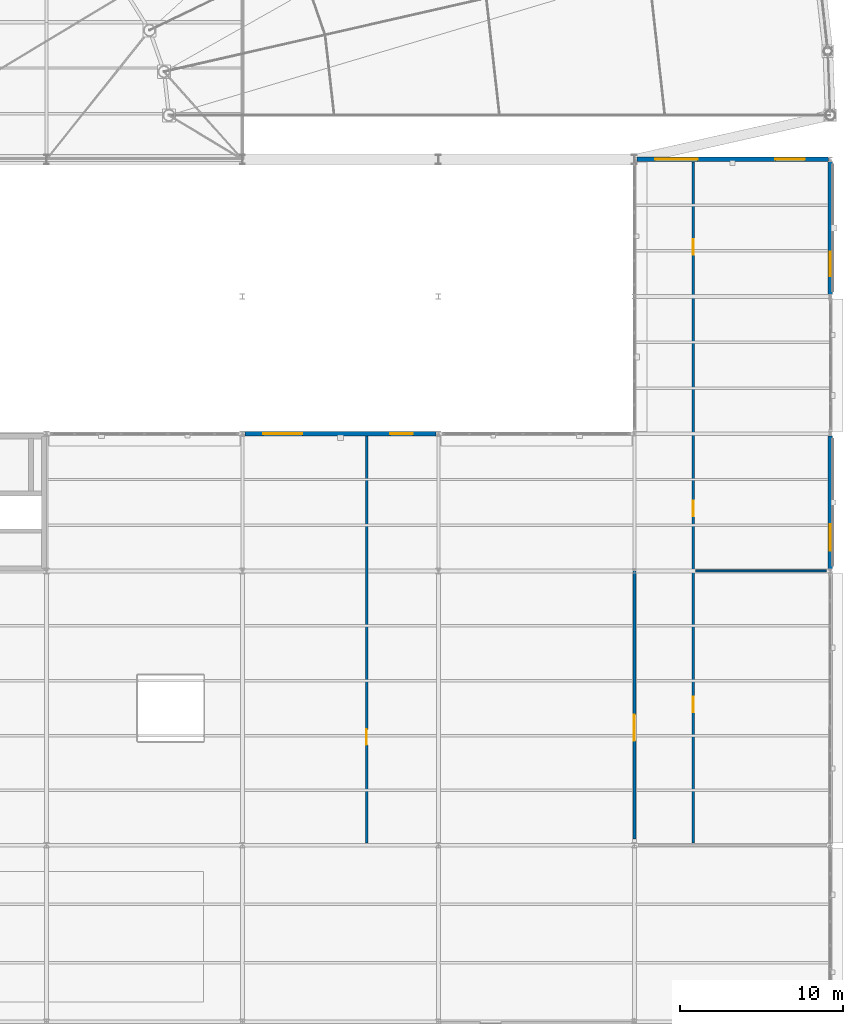
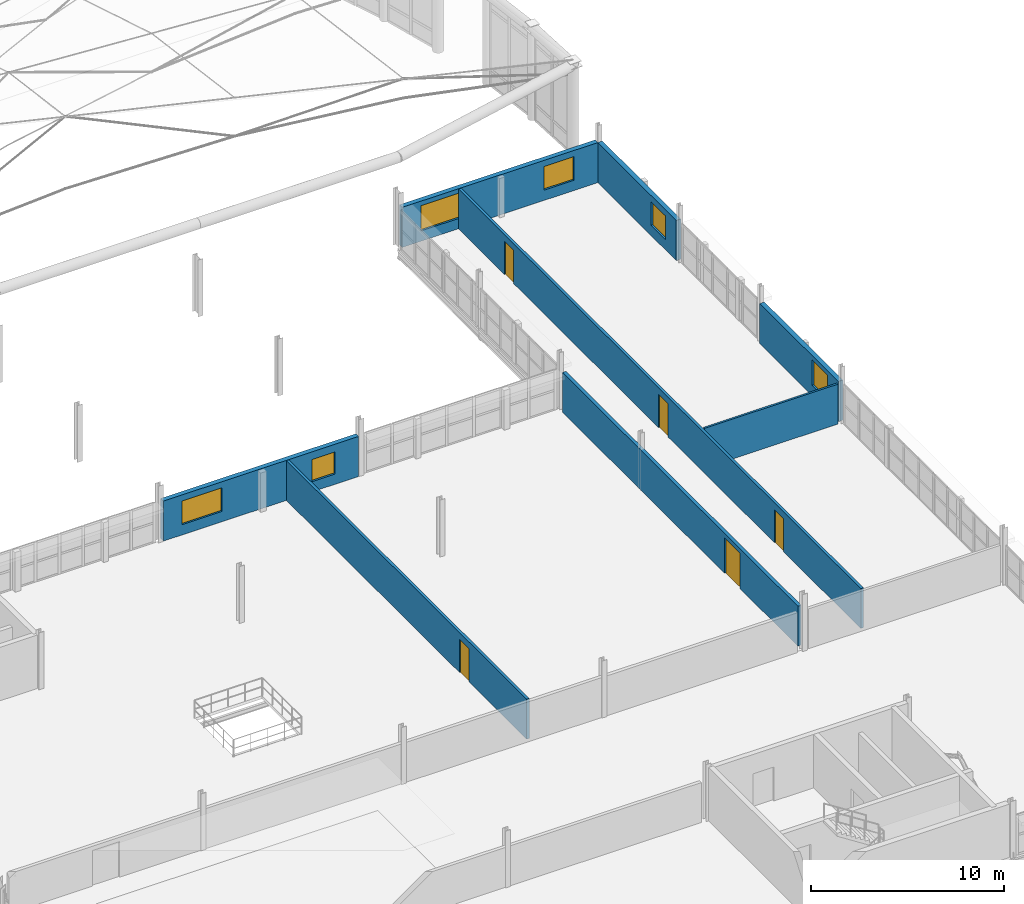
# One storey, part 89 of 101: 8 walls, 6 windows, 5 doors, 11 openings.
"""IFC4 building model written with IfcOpenShell, lengths in metres."""

import ifcopenshell
import ifcopenshell.guid

model = None  # the IFC model being written
_history = None  # IfcOwnerHistory: only IFC2X3 demands one
_inside = {}  # id of a spatial element -> (the spatial element, [elements in it])
_under = {}  # id of a project, library or spatial element -> (it, [spatial elements below it])
_declared = {}  # id of a project -> (the project, [libraries it declares])
_typed = {}  # id of a type object -> (the type object, [elements of that type])
_made_of = {}  # id of a material, layer set ... -> (it, [elements and type objects made of it])


def new_model(schema):
    """Start an empty IFC model of exactly this schema.

    Asked for "IFC4X3", IfcOpenShell would pick the latest addendum, in which some entities
    have other attributes; the version numbers below select the first issue.
    IFC2X3 requires an IfcOwnerHistory on every rooted entity: one is made here for all.
    """
    global model, _history
    if schema == "IFC4X3":
        model = ifcopenshell.file(schema_version=(4, 3, 0, 0))
    else:
        model = ifcopenshell.file(schema=schema)
    _inside.clear()
    _under.clear()
    _declared.clear()
    _typed.clear()
    _made_of.clear()
    _history = None
    if model.schema == "IFC2X3":
        org = make("IfcOrganization", Name="unknown")
        user = make(
            "IfcPersonAndOrganization",
            ThePerson=make("IfcPerson", FamilyName="unknown"),
            TheOrganization=org,
        )
        app = make(
            "IfcApplication",
            ApplicationDeveloper=org,
            Version="unknown",
            ApplicationFullName="unknown",
            ApplicationIdentifier="unknown",
        )
        _history = make(
            "IfcOwnerHistory",
            OwningUser=user,
            OwningApplication=app,
            ChangeAction="ADDED",
            CreationDate=0,
        )
    return model


def make(cls, **values):
    """One entity of the class cls with the attributes given. An attribute that is None is left unset."""
    return model.create_entity(
        cls, **{name: value for name, value in values.items() if value is not None}
    )


def rooted(cls, **values):
    """An entity with a GlobalId (a new one), such as an element, a storey or a relation."""
    return make(cls, GlobalId=ifcopenshell.guid.new(), OwnerHistory=_history, **values)


def si_unit(unit_type, name, prefix=None):
    """IfcSIUnit, for example si_unit("LENGTHUNIT", "METRE", prefix="MILLI")."""
    return make("IfcSIUnit", UnitType=unit_type, Prefix=prefix, Name=name)


def assignment(units):
    """IfcUnitAssignment: the units of a project."""
    return None if units is None else make("IfcUnitAssignment", Units=units)


def point(xyz):
    """IfcCartesianPoint."""
    return None if xyz is None else make("IfcCartesianPoint", Coordinates=xyz)


def direction(xyz):
    """IfcDirection."""
    return None if xyz is None else make("IfcDirection", DirectionRatios=xyz)


def frame(location, z_axis=None, x_axis=None):
    """IfcAxis2Placement3D, a coordinate frame: its origin and axes. An axis left out is left unset."""
    return make(
        "IfcAxis2Placement3D",
        Location=point(location),
        Axis=direction(z_axis),
        RefDirection=direction(x_axis),
    )


def frame_2d(location, x_axis=None):
    """IfcAxis2Placement2D, a coordinate frame in the plane: its origin and x axis."""
    return make(
        "IfcAxis2Placement2D", Location=point(location), RefDirection=direction(x_axis)
    )


def origin():
    """The frame at (0, 0, 0) with its axes left unset."""
    return frame((0.0, 0.0, 0.0))


def place(relative_to, where):
    """IfcLocalPlacement: puts the frame where relative to a parent placement (None: the world)."""
    return make(
        "IfcLocalPlacement", PlacementRelTo=relative_to, RelativePlacement=where
    )


def context(
    kind, dimensions, precision=None, world=None, true_north=None, identifier=None
):
    """IfcGeometricRepresentationContext, for example the 3D "Model" context."""
    return make(
        "IfcGeometricRepresentationContext",
        ContextIdentifier=identifier,
        ContextType=kind,
        CoordinateSpaceDimension=dimensions,
        Precision=precision,
        WorldCoordinateSystem=world,
        TrueNorth=true_north,
    )


def subcontext(parent, identifier, kind, view, scale=None):
    """IfcGeometricRepresentationSubContext, for example "Body" below "Model"."""
    return make(
        "IfcGeometricRepresentationSubContext",
        ContextIdentifier=identifier,
        ContextType=kind,
        ParentContext=parent,
        TargetScale=scale,
        TargetView=view,
    )


def project(units=None, contexts=None):
    """IfcProject with its units and contexts."""
    return rooted(
        "IfcProject",
        Name="project",
        RepresentationContexts=contexts,
        UnitsInContext=assignment(units),
    )


def spatial(cls, under=None, at=None, **own):
    """A site, building, storey or space (cls), placed at a placement, below another one or the project."""
    s = rooted(cls, ObjectPlacement=at, **own)
    if under is not None:
        _under.setdefault(under.id(), (under, []))[1].append(s)
    return s


def profile(cls, at=None, kind="AREA", **sizes):
    """A parametric profile (cls). Its sizes go by their IFC names, for example OverallWidth=200.0."""
    return make(cls, ProfileType=kind, Position=at, **sizes)


def rectangle(**sizes):
    """IfcRectangleProfileDef."""
    return profile("IfcRectangleProfileDef", **sizes)


def extrude(swept, where, along, depth):
    """IfcExtrudedAreaSolid: the profile swept, set in the frame where, extruded along a direction by depth."""
    return make(
        "IfcExtrudedAreaSolid",
        SweptArea=swept,
        Position=where,
        ExtrudedDirection=direction(along),
        Depth=depth,
    )


def shape(context_of_items, identifier, shape_type, items):
    """IfcShapeRepresentation: the items that make up one representation, for example the "Body"."""
    return make(
        "IfcShapeRepresentation",
        ContextOfItems=context_of_items,
        RepresentationIdentifier=identifier,
        RepresentationType=shape_type,
        Items=items,
    )


def material(Name=None, Category=None):
    """IfcMaterial."""
    return make("IfcMaterial", Name=Name, Category=Category)


def layer(
    of_material, thickness, ventilated=None, Name=None, Category=None, Priority=None
):
    """IfcMaterialLayer: one layer of a wall or slab, of a material (None: an air gap)."""
    return make(
        "IfcMaterialLayer",
        Material=of_material,
        LayerThickness=thickness,
        IsVentilated=ventilated,
        Name=Name,
        Category=Category,
        Priority=Priority,
    )


def layer_set(layers, Name=None):
    """IfcMaterialLayerSet."""
    return make("IfcMaterialLayerSet", MaterialLayers=layers, LayerSetName=Name)


def made_of(thing, what):
    """Note that an element or type object is made of a material, layer set ...; save() writes the relation."""
    if what is not None:
        _made_of.setdefault(what.id(), (what, []))[1].append(thing)
    return thing


def type_object(cls, material=None, **own):
    """A type object (cls), such as IfcWallType, which elements share."""
    return made_of(rooted(cls, **own), material)


def element(
    cls,
    number,
    at=None,
    inside=None,
    cuts=None,
    type_object=None,
    material=None,
    context=None,
    identifier="Body",
    shape_type=None,
    held_by="IfcProductDefinitionShape",
    body=None,
    shapes=None,
    **own,
):
    """One element of the class cls, such as IfcWall. Its Tag is "e" and its number.

    at: its placement. inside: the storey or other place that contains it. cuts: it is an
    opening in that element (IfcRelVoidsElement). A single representation is given by context,
    identifier, shape_type and body (its items); several are given by shapes. held_by: the class
    of the entity that holds the representations. save() writes the other relations.
    """
    e = rooted(cls, Tag="e%d" % number, ObjectPlacement=at, **own)
    if body is not None:
        shapes = [shape(context, identifier, shape_type, body)]
    if shapes is not None:
        e.Representation = make(held_by, Representations=shapes)
    if inside is not None:
        _inside.setdefault(inside.id(), (inside, []))[1].append(e)
    if cuts is not None:
        rooted(
            "IfcRelVoidsElement", RelatingBuildingElement=cuts, RelatedOpeningElement=e
        )
    if type_object is not None:
        _typed.setdefault(type_object.id(), (type_object, []))[1].append(e)
    return made_of(e, material)


def fill(opening, filler):
    """IfcRelFillsElement: the door or window that sits in an opening."""
    return rooted(
        "IfcRelFillsElement",
        RelatingOpeningElement=opening,
        RelatedBuildingElement=filler,
    )


def aggregate(whole, parts):
    """IfcRelAggregates: a whole, such as a stair, and the parts it consists of."""
    return rooted("IfcRelAggregates", RelatingObject=whole, RelatedObjects=parts)


def save(model, path):
    """Write the relations noted so far, then the file.

    IfcRelAggregates (storeys below a building ...), IfcRelContainedInSpatialStructure (elements
    in a storey), IfcRelDefinesByType, IfcRelAssociatesMaterial and IfcRelDeclares: one each for
    every whole, place, type object, material and project.
    """
    for whole, parts in _under.values():
        aggregate(whole, parts)
    for where, things in _inside.values():
        rooted(
            "IfcRelContainedInSpatialStructure",
            RelatedElements=things,
            RelatingStructure=where,
        )
    for kind, things in _typed.values():
        rooted("IfcRelDefinesByType", RelatedObjects=things, RelatingType=kind)
    for what, things in _made_of.values():
        rooted("IfcRelAssociatesMaterial", RelatedObjects=things, RelatingMaterial=what)
    for by, libraries in _declared.values():
        rooted("IfcRelDeclares", RelatingContext=by, RelatedDefinitions=libraries)
    model.write(path)


model = new_model("IFC4")

# Units and contexts
model_context = context("Model", 3, precision=1e-05, world=origin(), true_north=direction((0.0, 1.0)))
body_context = subcontext(model_context, "Body", "Model", "MODEL_VIEW")
ifc_project = project(units=[si_unit("LENGTHUNIT", "METRE"), si_unit("AREAUNIT", "SQUARE_METRE"), si_unit("VOLUMEUNIT", "CUBIC_METRE"), si_unit("PLANEANGLEUNIT", "RADIAN"), si_unit("MASSUNIT", "GRAM", prefix="KILO"), si_unit("THERMODYNAMICTEMPERATUREUNIT", "KELVIN"), si_unit("POWERUNIT", "WATT")], contexts=[model_context])

# Site, building, storey
site_placement = place(None, origin())
site = spatial("IfcSite", under=ifc_project, at=site_placement, CompositionType="ELEMENT")
building_placement = place(site_placement, origin())
building = spatial("IfcBuilding", under=site, at=building_placement, Name="Tembeka Court Mobility Hub", CompositionType="ELEMENT")
storey_placement = place(building_placement, frame((0.0, 0.0, 5.39990234375)))
storey = spatial("IfcBuildingStorey", under=building, at=storey_placement, Name="L01", CompositionType="ELEMENT", Elevation=5.39990234375)

# Wall, opening, window
ifc_material_1 = material(Name="Precast concrete C45/55", Category="concrete")
ifc_layer_1 = layer(ifc_material_1, 0.280029296875)
ifc_layer_set_1 = layer_set([ifc_layer_1], Name="Precast concrete C45/55")
wall_type_1 = type_object("IfcWallType", Name="WL-EW02", PredefinedType="STANDARD", material=ifc_layer_set_1)
wall_1_placement = place(storey_placement, frame((176.39990234375, 38.528076171875, 0.0), z_axis=(0.0, 0.0, 1.0), x_axis=(0.0, 1.0, 0.0)))
wall_1 = element("IfcWall", 1, at=wall_1_placement, inside=storey, type_object=wall_type_1, Name="External wall EW02 (EW-L01-0087)", PredefinedType="STANDARD", context=body_context, shape_type="SweptSolid", body=[
    extrude(rectangle(XDim=8.14404296875, YDim=0.280029296875, at=frame_2d((4.072021484375, 0.0))), origin(), (0.0, 0.0, 1.0), 2.53515625),
])
opening_1_placement = place(wall_1_placement, frame((1.1201171875, 0.0, 0.64990234375)))
opening_1 = element("IfcOpeningElement", 2, at=opening_1_placement, cuts=wall_1, Name="Opening WN08", PredefinedType="OPENING", context=body_context, shape_type="SweptSolid", body=[
    extrude(rectangle(XDim=1.60009765625, YDim=1.60009765625, at=frame_2d((0.800048828125, 0.800048828125))), frame((0.0, 0.14990234375, 0.0), z_axis=(0.0, -1.0, 0.0), x_axis=(1.0, 0.0, 0.0)), (0.0, 0.0, 1.0), 0.300048828125),
])
ifc_material_2 = material(Name="Laminated solar-control low-E glass", Category="glass")
window_type_1 = type_object("IfcWindowType", Name="WN-W08", PartitioningType="SINGLE_PANEL", PredefinedType="WINDOW", material=ifc_material_2)
window_1_placement = place(opening_1_placement, origin())
window_1 = element("IfcWindow", 3, at=window_1_placement, inside=storey, type_object=window_type_1, Name="Window WN08-0026", OverallHeight=1.60009765625, OverallWidth=1.60009765625, PartitioningType="SINGLE_PANEL", PredefinedType="WINDOW", context=body_context, shape_type="SweptSolid", body=[
    extrude(rectangle(XDim=1.60009765625, YDim=1.60009765625, at=frame_2d((0.800048828125, 0.800048828125))), frame((0.0, 0.030029296875, 0.0), z_axis=(0.0, -1.0, 0.0), x_axis=(1.0, 0.0, 0.0)), (0.0, 0.0, 1.0), 0.06005859375),
])
fill(opening_1, window_1)

wall_2_placement = place(storey_placement, frame((176.39990234375, 55.327880859375, 0.0), z_axis=(0.0, 0.0, 1.0), x_axis=(0.0, 1.0, 0.0)))
wall_2 = element("IfcWall", 4, at=wall_2_placement, inside=storey, type_object=wall_type_1, Name="External wall EW02 (EW-L01-0088)", PredefinedType="STANDARD", context=body_context, shape_type="SweptSolid", body=[
    extrude(rectangle(XDim=8.14404296875, YDim=0.280029296875, at=frame_2d((4.072021484375, 0.0))), origin(), (0.0, 0.0, 1.0), 2.53515625),
])
opening_2_placement = place(wall_2_placement, frame((1.1201171875, 0.0, 0.64990234375)))
opening_2 = element("IfcOpeningElement", 5, at=opening_2_placement, cuts=wall_2, Name="Opening WN10", PredefinedType="OPENING", context=body_context, shape_type="SweptSolid", body=[
    extrude(rectangle(XDim=1.5, YDim=1.5, at=frame_2d((0.75, 0.75))), frame((0.0, 0.14990234375, 0.0), z_axis=(0.0, -1.0, 0.0), x_axis=(1.0, 0.0, 0.0)), (0.0, 0.0, 1.0), 0.300048828125),
])
window_type_2 = type_object("IfcWindowType", Name="WN-W10", PartitioningType="SINGLE_PANEL", PredefinedType="WINDOW", material=ifc_material_2)
window_2_placement = place(opening_2_placement, origin())
window_2 = element("IfcWindow", 6, at=window_2_placement, inside=storey, type_object=window_type_2, Name="Window WN10-0027", OverallHeight=1.5, OverallWidth=1.5, PartitioningType="SINGLE_PANEL", PredefinedType="WINDOW", context=body_context, shape_type="SweptSolid", body=[
    extrude(rectangle(XDim=1.5, YDim=1.5, at=frame_2d((0.75, 0.75))), frame((0.0, 0.030029296875, 0.0), z_axis=(0.0, -1.0, 0.0), x_axis=(1.0, 0.0, 0.0)), (0.0, 0.0, 1.0), 0.06005859375),
])
fill(opening_2, window_2)

# Wall, openings, windows
wall_3_placement = place(storey_placement, frame((164.548095703125, 63.60009765625, 0.0), z_axis=(0.0, 0.0, 1.0), x_axis=(1.0, 0.0, 0.0)))
wall_3 = element("IfcWall", 7, at=wall_3_placement, inside=storey, type_object=wall_type_1, Name="External wall EW02 (EW-L01-0089)", PredefinedType="STANDARD", context=body_context, shape_type="SweptSolid", body=[
    extrude(rectangle(XDim=11.725830078125, YDim=0.280029296875, at=frame_2d((5.86279296875, 0.0))), origin(), (0.0, 0.0, 1.0), 2.53515625),
])
opening_3_placement = place(wall_3_placement, frame((1.1201171875, 0.0, 0.64990234375)))
opening_3 = element("IfcOpeningElement", 8, at=opening_3_placement, cuts=wall_3, Name="Opening WN12", PredefinedType="OPENING", context=body_context, shape_type="SweptSolid", body=[
    extrude(rectangle(XDim=2.60009765625, YDim=1.60009765625, at=frame_2d((1.300048828125, 0.800048828125))), frame((0.0, 0.14990234375, 0.0), z_axis=(0.0, -1.0, 0.0), x_axis=(1.0, 0.0, 0.0)), (0.0, 0.0, 1.0), 0.300048828125),
])
opening_4_placement = place(wall_3_placement, frame((8.489990234375, 0.0, 0.64990234375)))
opening_4 = element("IfcOpeningElement", 9, at=opening_4_placement, cuts=wall_3, Name="Opening WN13", PredefinedType="OPENING", context=body_context, shape_type="SweptSolid", body=[
    extrude(rectangle(XDim=1.800048828125, YDim=1.5, at=frame_2d((0.89990234375, 0.75))), frame((0.0, 0.14990234375, 0.0), z_axis=(0.0, -1.0, 0.0), x_axis=(1.0, 0.0, 0.0)), (0.0, 0.0, 1.0), 0.300048828125),
])
window_type_3 = type_object("IfcWindowType", Name="WN-W12", PartitioningType="SINGLE_PANEL", PredefinedType="WINDOW", material=ifc_material_2)
window_3_placement = place(opening_3_placement, origin())
window_3 = element("IfcWindow", 10, at=window_3_placement, inside=storey, type_object=window_type_3, Name="Window WN12-0028", OverallHeight=1.60009765625, OverallWidth=2.60009765625, PartitioningType="SINGLE_PANEL", PredefinedType="WINDOW", context=body_context, shape_type="SweptSolid", body=[
    extrude(rectangle(XDim=2.60009765625, YDim=1.60009765625, at=frame_2d((1.300048828125, 0.800048828125))), frame((0.0, 0.030029296875, 0.0), z_axis=(0.0, -1.0, 0.0), x_axis=(1.0, 0.0, 0.0)), (0.0, 0.0, 1.0), 0.06005859375),
])
fill(opening_3, window_3)
window_type_4 = type_object("IfcWindowType", Name="WN-W13", PartitioningType="SINGLE_PANEL", PredefinedType="WINDOW", material=ifc_material_2)
window_4_placement = place(opening_4_placement, origin())
window_4 = element("IfcWindow", 11, at=window_4_placement, inside=storey, type_object=window_type_4, Name="Window WN13-0029", OverallHeight=1.5, OverallWidth=1.800048828125, PartitioningType="SINGLE_PANEL", PredefinedType="WINDOW", context=body_context, shape_type="SweptSolid", body=[
    extrude(rectangle(XDim=1.800048828125, YDim=1.5, at=frame_2d((0.89990234375, 0.75))), frame((0.0, 0.030029296875, 0.0), z_axis=(0.0, -1.0, 0.0), x_axis=(1.0, 0.0, 0.0)), (0.0, 0.0, 1.0), 0.06005859375),
])
fill(opening_4, window_4)

wall_4_placement = place(storey_placement, frame((140.552490234375, 46.800048828125, 0.0), z_axis=(0.0, 0.0, 1.0), x_axis=(1.0, 0.0, 0.0)))
wall_4 = element("IfcWall", 12, at=wall_4_placement, inside=storey, type_object=wall_type_1, Name="External wall EW02 (EW-L01-0090)", PredefinedType="STANDARD", context=body_context, shape_type="SweptSolid", body=[
    extrude(rectangle(XDim=11.695068359375, YDim=0.280029296875, at=frame_2d((5.84765625, 0.0))), origin(), (0.0, 0.0, 1.0), 2.53515625),
])
opening_5_placement = place(wall_4_placement, frame((1.1201171875, 0.0, 0.64990234375)))
opening_5 = element("IfcOpeningElement", 13, at=opening_5_placement, cuts=wall_4, Name="Opening WN14", PredefinedType="OPENING", context=body_context, shape_type="SweptSolid", body=[
    extrude(rectangle(XDim=2.39990234375, YDim=1.5, at=frame_2d((1.199951171875, 0.75))), frame((0.0, 0.14990234375, 0.0), z_axis=(0.0, -1.0, 0.0), x_axis=(1.0, 0.0, 0.0)), (0.0, 0.0, 1.0), 0.300048828125),
])
opening_6_placement = place(wall_4_placement, frame((8.889892578125, 0.0, 0.64990234375)))
opening_6 = element("IfcOpeningElement", 14, at=opening_6_placement, cuts=wall_4, Name="Opening WN15", PredefinedType="OPENING", context=body_context, shape_type="SweptSolid", body=[
    extrude(rectangle(XDim=1.39990234375, YDim=1.39990234375, at=frame_2d((0.699951171875, 0.699951171875))), frame((0.0, 0.14990234375, 0.0), z_axis=(0.0, -1.0, 0.0), x_axis=(1.0, 0.0, 0.0)), (0.0, 0.0, 1.0), 0.300048828125),
])
window_type_5 = type_object("IfcWindowType", Name="WN-W14", PartitioningType="SINGLE_PANEL", PredefinedType="WINDOW", material=ifc_material_2)
window_5_placement = place(opening_5_placement, origin())
window_5 = element("IfcWindow", 15, at=window_5_placement, inside=storey, type_object=window_type_5, Name="Window WN14-0030", OverallHeight=1.5, OverallWidth=2.39990234375, PartitioningType="SINGLE_PANEL", PredefinedType="WINDOW", context=body_context, shape_type="SweptSolid", body=[
    extrude(rectangle(XDim=2.39990234375, YDim=1.5, at=frame_2d((1.199951171875, 0.75))), frame((0.0, 0.030029296875, 0.0), z_axis=(0.0, -1.0, 0.0), x_axis=(1.0, 0.0, 0.0)), (0.0, 0.0, 1.0), 0.06005859375),
])
fill(opening_5, window_5)
window_type_6 = type_object("IfcWindowType", Name="WN-W15", PartitioningType="SINGLE_PANEL", PredefinedType="WINDOW", material=ifc_material_2)
window_6_placement = place(opening_6_placement, origin())
window_6 = element("IfcWindow", 16, at=window_6_placement, inside=storey, type_object=window_type_6, Name="Window WN15-0031", OverallHeight=1.39990234375, OverallWidth=1.39990234375, PartitioningType="SINGLE_PANEL", PredefinedType="WINDOW", context=body_context, shape_type="SweptSolid", body=[
    extrude(rectangle(XDim=1.39990234375, YDim=1.39990234375, at=frame_2d((0.699951171875, 0.699951171875))), frame((0.0, 0.030029296875, 0.0), z_axis=(0.0, -1.0, 0.0), x_axis=(1.0, 0.0, 0.0)), (0.0, 0.0, 1.0), 0.06005859375),
])
fill(opening_6, window_6)

# Wall, opening, door
ifc_material_3 = material(Name="Concrete blockwork masonry", Category="masonry")
ifc_layer_2 = layer(ifc_material_3, 0.199951171875)
ifc_layer_set_2 = layer_set([ifc_layer_2], Name="Concrete blockwork masonry")
wall_type_2 = type_object("IfcWallType", Name="WL-IW02", PredefinedType="PARTITIONING", material=ifc_layer_set_2)
wall_5_placement = place(storey_placement, frame((164.39990234375, 22.0, 0.0), z_axis=(0.0, 0.0, 1.0), x_axis=(0.0, 1.0, 0.0)))
wall_5 = element("IfcWall", 17, at=wall_5_placement, inside=storey, type_object=wall_type_2, Name="Wall IW02 (IW-L01-0461)", PredefinedType="PARTITIONING", context=body_context, shape_type="SweptSolid", body=[
    extrude(rectangle(XDim=24.39990234375, YDim=0.199951171875, at=frame_2d((12.199951171875, 0.0))), origin(), (0.0, 0.0, 1.0), 2.525146484375),
])
opening_7_placement = place(wall_5_placement, frame((6.0, 0.0, 0.0)))
opening_7 = element("IfcOpeningElement", 18, at=opening_7_placement, cuts=wall_5, Name="Opening ID05", PredefinedType="OPENING", context=body_context, shape_type="SweptSolid", body=[
    extrude(rectangle(XDim=1.60009765625, YDim=2.25, at=frame_2d((0.800048828125, 1.125))), frame((0.0, 0.10986328125, 0.0), z_axis=(0.0, -1.0, 0.0), x_axis=(1.0, 0.0, 0.0)), (0.0, 0.0, 1.0), 0.219970703125),
])
ifc_material_4 = material(Name="Powder-coated aluminium glazed doorset", Category="aluminium")
door_type_1 = type_object("IfcDoorType", Name="DR-ID05", OperationType="NOTDEFINED", PredefinedType="DOOR", material=ifc_material_4)
door_1_placement = place(opening_7_placement, origin())
door_1 = element("IfcDoor", 19, at=door_1_placement, inside=storey, type_object=door_type_1, Name="Door ID05-0232", OperationType="DOUBLE_DOOR_SINGLE_SWING", OverallHeight=2.25, OverallWidth=1.60009765625, PredefinedType="DOOR", context=body_context, shape_type="SweptSolid", body=[
    extrude(rectangle(XDim=1.60009765625, YDim=2.25, at=frame_2d((0.800048828125, 1.125))), frame((0.0, 0.02490234375, 0.0), z_axis=(0.0, -1.0, 0.0), x_axis=(1.0, 0.0, 0.0)), (0.0, 0.0, 1.0), 0.050048828125),
])
fill(opening_7, door_1)

# Wall, openings, doors
ifc_material_5 = material(Name="Acoustic metal-stud gypsum partition", Category="masonry")
ifc_layer_3 = layer(ifc_material_5, 0.159912109375)
ifc_layer_set_3 = layer_set([ifc_layer_3], Name="Acoustic metal-stud gypsum partition")
wall_type_3 = type_object("IfcWallType", Name="WL-IW04", PredefinedType="PARTITIONING", material=ifc_layer_set_3)
wall_6_placement = place(storey_placement, frame((168.0, 21.75, 0.0), z_axis=(0.0, 0.0, 1.0), x_axis=(0.0, 1.0, 0.0)))
wall_6 = element("IfcWall", 20, at=wall_6_placement, inside=storey, type_object=wall_type_3, Name="Wall IW04 (IW-L01-0455)", PredefinedType="PARTITIONING", context=body_context, shape_type="SweptSolid", body=[
    extrude(rectangle(XDim=41.699951171875, YDim=0.159912109375, at=frame_2d((20.85009765625, 0.0))), origin(), (0.0, 0.0, 1.0), 2.525146484375),
])
opening_8_placement = place(wall_6_placement, frame((8.0, 0.0, 0.0)))
opening_8 = element("IfcOpeningElement", 21, at=opening_8_placement, cuts=wall_6, Name="Opening ID01", PredefinedType="OPENING", context=body_context, shape_type="SweptSolid", body=[
    extrude(rectangle(XDim=0.949951171875, YDim=2.10009765625, at=frame_2d((0.47509765625, 1.050048828125))), frame((0.0, 0.08984375, 0.0), z_axis=(0.0, -1.0, 0.0), x_axis=(1.0, 0.0, 0.0)), (0.0, 0.0, 1.0), 0.179931640625),
])
opening_9_placement = place(wall_6_placement, frame((20.0, 0.0, 0.0)))
opening_9 = element("IfcOpeningElement", 22, at=opening_9_placement, cuts=wall_6, Name="Opening ID01", PredefinedType="OPENING", context=body_context, shape_type="SweptSolid", body=[
    extrude(rectangle(XDim=0.949951171875, YDim=2.10009765625, at=frame_2d((0.47509765625, 1.050048828125))), frame((0.0, 0.08984375, 0.0), z_axis=(0.0, -1.0, 0.0), x_axis=(1.0, 0.0, 0.0)), (0.0, 0.0, 1.0), 0.179931640625),
])
opening_10_placement = place(wall_6_placement, frame((36.0, 0.0, 0.0)))
opening_10 = element("IfcOpeningElement", 23, at=opening_10_placement, cuts=wall_6, Name="Opening ID01", PredefinedType="OPENING", context=body_context, shape_type="SweptSolid", body=[
    extrude(rectangle(XDim=0.949951171875, YDim=2.10009765625, at=frame_2d((0.47509765625, 1.050048828125))), frame((0.0, 0.08984375, 0.0), z_axis=(0.0, -1.0, 0.0), x_axis=(1.0, 0.0, 0.0)), (0.0, 0.0, 1.0), 0.179931640625),
])
door_type_2 = type_object("IfcDoorType", Name="DR-ID01", OperationType="NOTDEFINED", PredefinedType="DOOR", material=ifc_material_4)
door_2_placement = place(opening_8_placement, origin())
door_2 = element("IfcDoor", 24, at=door_2_placement, inside=storey, type_object=door_type_2, Name="Door ID01-0226", OperationType="SINGLE_SWING_RIGHT", OverallHeight=2.10009765625, OverallWidth=0.949951171875, PredefinedType="DOOR", context=body_context, shape_type="SweptSolid", body=[
    extrude(rectangle(XDim=0.949951171875, YDim=2.10009765625, at=frame_2d((0.47509765625, 1.050048828125))), frame((0.0, 0.02490234375, 0.0), z_axis=(0.0, -1.0, 0.0), x_axis=(1.0, 0.0, 0.0)), (0.0, 0.0, 1.0), 0.050048828125),
])
fill(opening_8, door_2)
door_3_placement = place(opening_9_placement, origin())
door_3 = element("IfcDoor", 25, at=door_3_placement, inside=storey, type_object=door_type_2, Name="Door ID01-0227", OperationType="SINGLE_SWING_LEFT", OverallHeight=2.10009765625, OverallWidth=0.949951171875, PredefinedType="DOOR", context=body_context, shape_type="SweptSolid", body=[
    extrude(rectangle(XDim=0.949951171875, YDim=2.10009765625, at=frame_2d((0.47509765625, 1.050048828125))), frame((0.0, 0.02490234375, 0.0), z_axis=(0.0, -1.0, 0.0), x_axis=(1.0, 0.0, 0.0)), (0.0, 0.0, 1.0), 0.050048828125),
])
fill(opening_9, door_3)
door_4_placement = place(opening_10_placement, origin())
door_4 = element("IfcDoor", 26, at=door_4_placement, inside=storey, type_object=door_type_2, Name="Door ID01-0228", OperationType="SINGLE_SWING_RIGHT", OverallHeight=2.10009765625, OverallWidth=0.949951171875, PredefinedType="DOOR", context=body_context, shape_type="SweptSolid", body=[
    extrude(rectangle(XDim=0.949951171875, YDim=2.10009765625, at=frame_2d((0.47509765625, 1.050048828125))), frame((0.0, 0.02490234375, 0.0), z_axis=(0.0, -1.0, 0.0), x_axis=(1.0, 0.0, 0.0)), (0.0, 0.0, 1.0), 0.050048828125),
])
fill(opening_10, door_4)

# Wall, opening, door
wall_7_placement = place(storey_placement, frame((148.0, 21.75, 0.0), z_axis=(0.0, 0.0, 1.0), x_axis=(0.0, 1.0, 0.0)))
wall_7 = element("IfcWall", 27, at=wall_7_placement, inside=storey, type_object=wall_type_3, Name="Wall IW04 (IW-L01-0460)", PredefinedType="PARTITIONING", context=body_context, shape_type="SweptSolid", body=[
    extrude(rectangle(XDim=24.89990234375, YDim=0.159912109375, at=frame_2d((12.449951171875, 0.0))), origin(), (0.0, 0.0, 1.0), 2.525146484375),
])
opening_11_placement = place(wall_7_placement, frame((6.0, 0.0, 0.0)))
opening_11 = element("IfcOpeningElement", 28, at=opening_11_placement, cuts=wall_7, Name="Opening ID01", PredefinedType="OPENING", context=body_context, shape_type="SweptSolid", body=[
    extrude(rectangle(XDim=0.949951171875, YDim=2.10009765625, at=frame_2d((0.47509765625, 1.050048828125))), frame((0.0, 0.08984375, 0.0), z_axis=(0.0, -1.0, 0.0), x_axis=(1.0, 0.0, 0.0)), (0.0, 0.0, 1.0), 0.179931640625),
])
door_5_placement = place(opening_11_placement, origin())
door_5 = element("IfcDoor", 29, at=door_5_placement, inside=storey, type_object=door_type_2, Name="Door ID01-0231", OperationType="SINGLE_SWING_RIGHT", OverallHeight=2.10009765625, OverallWidth=0.949951171875, PredefinedType="DOOR", context=body_context, shape_type="SweptSolid", body=[
    extrude(rectangle(XDim=0.949951171875, YDim=2.10009765625, at=frame_2d((0.47509765625, 1.050048828125))), frame((0.0, 0.02490234375, 0.0), z_axis=(0.0, -1.0, 0.0), x_axis=(1.0, 0.0, 0.0)), (0.0, 0.0, 1.0), 0.050048828125),
])
fill(opening_11, door_5)

# Wall
ifc_material_6 = material(Name="Acoustic folding partition panel", Category="aluminium")
ifc_layer_4 = layer(ifc_material_6, 0.1201171875)
ifc_layer_set_4 = layer_set([ifc_layer_4], Name="Acoustic folding partition panel")
wall_type_4 = type_object("IfcWallType", Name="WL-MV01", PredefinedType="MOVABLE", material=ifc_layer_set_4)
wall_8_placement = place(storey_placement, frame((168.14990234375, 38.39990234375, 0.0), z_axis=(0.0, 0.0, 1.0), x_axis=(1.0, 0.0, 0.0)))
element("IfcWall", 30, at=wall_8_placement, inside=storey, type_object=wall_type_4, Name="Wall MV01 (IW-L01-0457)", PredefinedType="MOVABLE", context=body_context, shape_type="SweptSolid", body=[
    extrude(rectangle(XDim=8.0, YDim=0.1201171875, at=frame_2d((4.0, 0.0))), origin(), (0.0, 0.0, 1.0), 2.525146484375),
])

save(model, "model.ifc")
